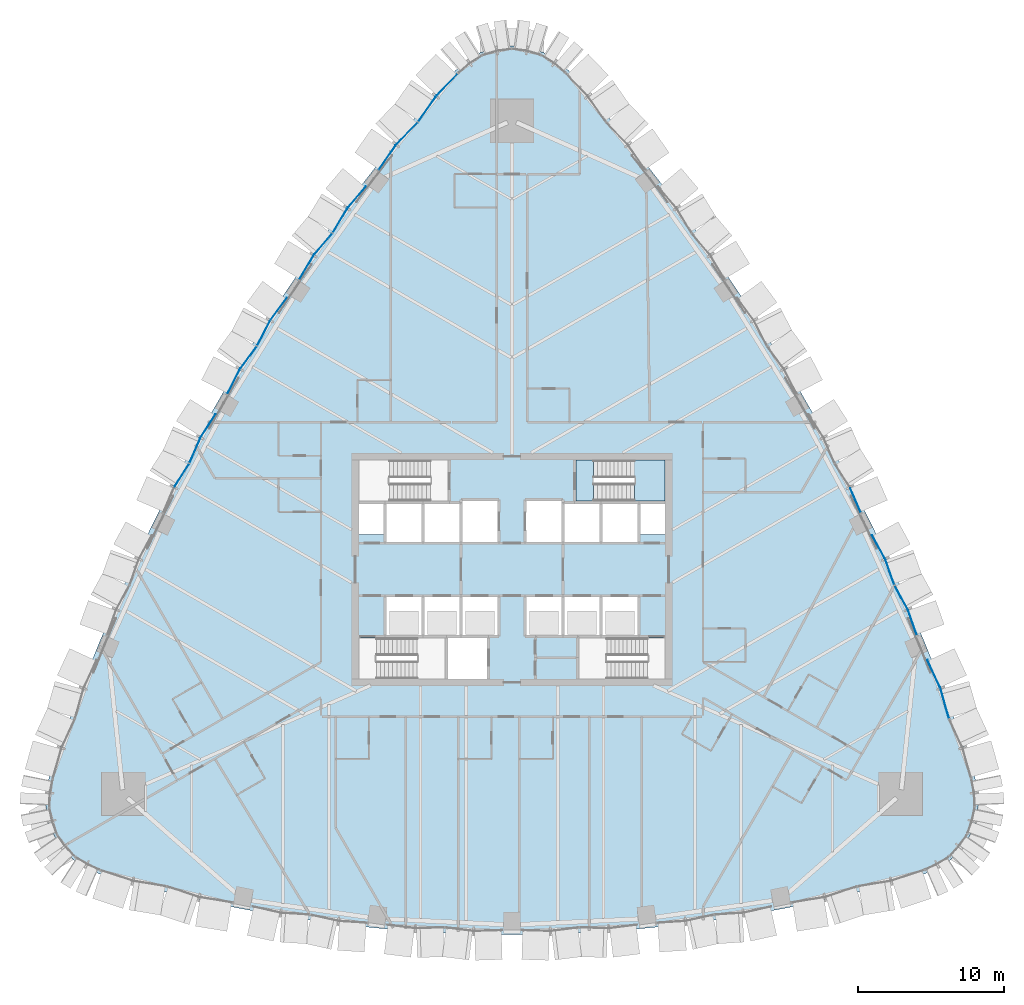
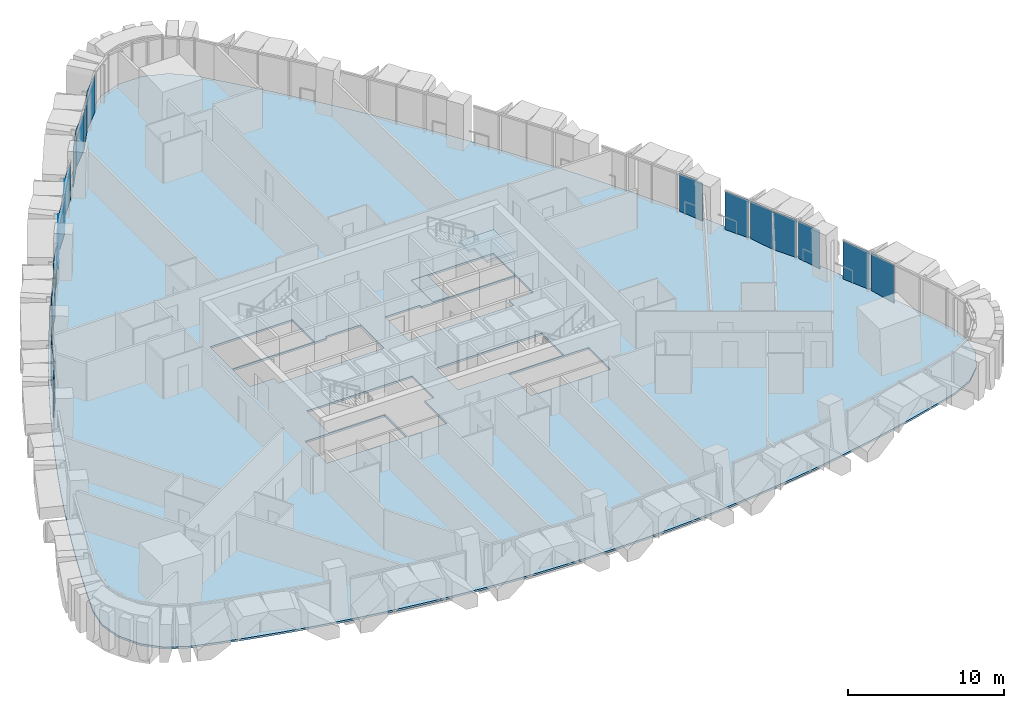
# One storey, part 11 of 22: 22 plates, 3 slabs, 8 elements without a shape of their own.
"""IFC4 building model written with IfcOpenShell, lengths in metres."""

from ifc_helpers import new_model, si_unit, direction, frame, origin, place, context, subcontext, project, spatial, polyline, outline, extrude, material, layer, layer_set, type_object, element, aggregate, save


model = new_model("IFC4")

# Units and contexts
model_context = context("Model", 3, precision=1e-05, world=origin(), true_north=direction((0.0, 1.0)))
body_context = subcontext(model_context, "Body", "Model", "MODEL_VIEW")
ifc_project = project(units=[si_unit("LENGTHUNIT", "METRE"), si_unit("AREAUNIT", "SQUARE_METRE"), si_unit("VOLUMEUNIT", "CUBIC_METRE"), si_unit("PLANEANGLEUNIT", "RADIAN"), si_unit("MASSUNIT", "GRAM", prefix="KILO")], contexts=[model_context])

# Site, building, storey
site_placement = place(None, origin())
site = spatial("IfcSite", under=ifc_project, at=site_placement, CompositionType="ELEMENT")
building_placement = place(site_placement, origin())
building = spatial("IfcBuilding", under=site, at=building_placement, Name="Sierra Prisma Convention Tower", CompositionType="ELEMENT")
storey_placement = place(building_placement, frame((0.0, 0.0, 66.5)))
storey = spatial("IfcBuildingStorey", under=building, at=storey_placement, Name="L12", CompositionType="ELEMENT", Elevation=66.5)

# Curtain wall, plates
ifc_material_1 = material(Name="Aluminium and glass curtain wall", Category="aluminium")
ifc_layer_1 = layer(ifc_material_1, 0.179931640625)
ifc_layer_set_1 = layer_set([ifc_layer_1], Name="CW-2 Faceted crystal curtain wall")
curtain_wall_type = type_object("IfcCurtainWallType", Name="CW-2 Faceted crystal curtain wall", PredefinedType="NOTDEFINED", material=ifc_layer_set_1)
curtain_wall_1_placement = place(storey_placement, origin())
curtain_wall_1 = element("IfcCurtainWall", 1, at=curtain_wall_1_placement, inside=storey, type_object=curtain_wall_type, Name="CW-2 NE1 L12", PredefinedType="NOTDEFINED")
ifc_material_2 = material(Name="Tinted glass bronze-grey IGU", Category="glass")
ifc_layer_2 = layer(ifc_material_2, 0.028076171875)
ifc_layer_set_2 = layer_set([ifc_layer_2], Name="CW-2 crystal pane")
plate_type = type_object("IfcPlateType", Name="CW-2 crystal pane", PredefinedType="CURTAIN_PANEL", material=ifc_layer_set_2)
plate_1_placement = place(storey_placement, frame((29.98095703125, -10.2119140625, 0.0), z_axis=(0.962075422412, 0.272783580135, 0.0), x_axis=(-0.272783580135, 0.962075422412, 0.0)))
plate_1 = element("IfcPlate", 2, at=plate_1_placement, type_object=plate_type, Name="CW-2 pane NE1.2.1", PredefinedType="CURTAIN_PANEL", context=body_context, shape_type="SweptSolid", body=[
    extrude(outline(polyline([(0.0, 0.0), (2.0808692108374416, 0.0), (2.0808692108374416, 2.97998046875), (0.0, 2.97998046875), (0.0, 0.0)])), origin(), (0.0, 0.0, -1.0), 0.028076171875),
])
plate_2_placement = place(storey_placement, frame((28.49462890625, -6.199951171875, 0.0), z_axis=(0.907557179198, 0.419928525449, 0.0), x_axis=(0.419928525449, -0.907557179198, 0.0)))
plate_2 = element("IfcPlate", 3, at=plate_2_placement, type_object=plate_type, Name="CW-2 pane NE1.2.2", PredefinedType="CURTAIN_PANEL", context=body_context, shape_type="SweptSolid", body=[
    extrude(outline(polyline([(0.0, 0.0), (2.0807809994336415, 0.0), (2.0807809994336415, -2.97998046875), (0.0, -2.97998046875), (0.0, 0.0)])), origin(), (0.0, 0.0, -1.0), 0.028076171875),
])
aggregate(curtain_wall_1, [plate_1, plate_2])

curtain_wall_2_placement = place(storey_placement, origin())
curtain_wall_2 = element("IfcCurtainWall", 4, at=curtain_wall_2_placement, inside=storey, type_object=curtain_wall_type, Name="CW-2 NE2 L12", PredefinedType="NOTDEFINED")
plate_3_placement = place(storey_placement, frame((27.78076171875, -4.498291015625, 0.0), z_axis=(0.941754163216, 0.336302090487, 0.0), x_axis=(-0.336302090487, 0.941754163216, 0.0)))
plate_3 = element("IfcPlate", 5, at=plate_3_placement, type_object=plate_type, Name="CW-2 pane NE2.1.1", PredefinedType="CURTAIN_PANEL", context=body_context, shape_type="SweptSolid", body=[
    extrude(outline(polyline([(0.0, 0.0), (1.8032754765864278, 0.0), (1.8032754765864278, 2.97998046875), (0.0, 2.97998046875), (0.0, 0.0)])), origin(), (0.0, 0.0, -1.0), 0.028076171875),
])
plate_4_placement = place(storey_placement, frame((26.256591796875, -1.099365234375, 0.0), z_axis=(0.877533158774, 0.47951595933, 0.0), x_axis=(0.47951595933, -0.877533158774, 0.0)))
plate_4 = element("IfcPlate", 6, at=plate_4_placement, type_object=plate_type, Name="CW-2 pane NE2.1.2", PredefinedType="CURTAIN_PANEL", context=body_context, shape_type="SweptSolid", body=[
    extrude(outline(polyline([(0.0, 0.0), (1.8033729158007237, 0.0), (1.8033729158007237, -2.97998046875), (0.0, -2.97998046875), (0.0, 0.0)])), origin(), (0.0, 0.0, -1.0), 0.028076171875),
])
plate_5_placement = place(storey_placement, frame((26.22802734375, -1.035400390625, 0.0), z_axis=(0.941754163216, 0.336302090487, 0.0), x_axis=(-0.336302090487, 0.941754163216, 0.0)))
plate_5 = element("IfcPlate", 7, at=plate_5_placement, type_object=plate_type, Name="CW-2 pane NE2.2.1", PredefinedType="CURTAIN_PANEL", context=body_context, shape_type="SweptSolid", body=[
    extrude(outline(polyline([(0.0, 0.0), (1.8032754765864278, 0.0), (1.8032754765864278, 2.97998046875), (0.0, 2.97998046875), (0.0, 0.0)])), origin(), (0.0, 0.0, -1.0), 0.028076171875),
])
plate_6_placement = place(storey_placement, frame((24.703857421875, 2.36376953125, 0.0), z_axis=(0.877533158774, 0.47951595933, 0.0), x_axis=(0.47951595933, -0.877533158774, 0.0)))
plate_6 = element("IfcPlate", 8, at=plate_6_placement, type_object=plate_type, Name="CW-2 pane NE2.2.2", PredefinedType="CURTAIN_PANEL", context=body_context, shape_type="SweptSolid", body=[
    extrude(outline(polyline([(0.0, 0.0), (1.8033729158007237, 0.0), (1.8033729158007237, -2.97998046875), (0.0, -2.97998046875), (0.0, 0.0)])), origin(), (0.0, 0.0, -1.0), 0.028076171875),
])
aggregate(curtain_wall_2, [plate_3, plate_4, plate_5, plate_6])

# Curtain wall, plate
curtain_wall_3_placement = place(storey_placement, origin())
curtain_wall_3 = element("IfcCurtainWall", 9, at=curtain_wall_3_placement, inside=storey, type_object=curtain_wall_type, Name="CW-2 NE3 L12", PredefinedType="NOTDEFINED")
plate_7_placement = place(storey_placement, frame((23.9375, 3.90185546875, 0.0), z_axis=(0.917256074335, 0.3982979966, 0.0), x_axis=(-0.3982979966, 0.917256074335, 0.0)))
plate_7 = element("IfcPlate", 10, at=plate_7_placement, type_object=plate_type, Name="CW-2 pane NE3.1.1", PredefinedType="CURTAIN_PANEL", context=body_context, shape_type="SweptSolid", body=[
    extrude(outline(polyline([(0.0, 0.0), (1.8352013755762004, 0.0), (1.8352013755762004, 2.9799804687499996), (0.0, 2.9799804687499996), (0.0, 0.0)])), origin(), (0.0, 0.0, -1.0), 0.028076171875),
])
aggregate(curtain_wall_3, [plate_7])

# Curtain wall, plates
curtain_wall_4_placement = place(storey_placement, origin())
curtain_wall_4 = element("IfcCurtainWall", 11, at=curtain_wall_4_placement, inside=storey, type_object=curtain_wall_type, Name="CW-2 NW1 L12", PredefinedType="NOTDEFINED")
plate_8_placement = place(storey_placement, frame((-3.738525390625, 34.00048828125, 0.0), z_axis=(-0.720009057598, 0.693964665511, 0.0), x_axis=(-0.693964665511, -0.720009057598, 0.0)))
plate_8 = element("IfcPlate", 12, at=plate_8_placement, type_object=plate_type, Name="CW-2 pane NW1.1.1", PredefinedType="CURTAIN_PANEL", context=body_context, shape_type="SweptSolid", body=[
    extrude(outline(polyline([(0.0, 0.0), (2.0622841693194554, 0.0), (2.0622841693194554, 2.97998046875), (0.0, 2.97998046875), (0.0, 0.0)])), origin(), (0.0, 0.0, -1.0), 0.028076171875),
])
plate_9_placement = place(storey_placement, frame((-6.43359375, 30.724853515625, 0.0), z_axis=(-0.819704323225, 0.572786890987, 0.0), x_axis=(0.572786890987, 0.819704323225, 0.0)))
plate_9 = element("IfcPlate", 13, at=plate_9_placement, type_object=plate_type, Name="CW-2 pane NW1.1.2", PredefinedType="CURTAIN_PANEL", context=body_context, shape_type="SweptSolid", body=[
    extrude(outline(polyline([(0.0, 0.0), (2.062541065385233, 0.0), (2.062541065385233, -2.97998046875), (0.0, -2.97998046875), (0.0, 0.0)])), origin(), (0.0, 0.0, -1.0), 0.028076171875),
])
plate_10_placement = place(storey_placement, frame((-6.47802734375, 30.6708984375, 0.0), z_axis=(-0.720009057598, 0.693964665511, 0.0), x_axis=(-0.693964665511, -0.720009057598, 0.0)))
plate_10 = element("IfcPlate", 14, at=plate_10_placement, type_object=plate_type, Name="CW-2 pane NW1.2.1", PredefinedType="CURTAIN_PANEL", context=body_context, shape_type="SweptSolid", body=[
    extrude(outline(polyline([(0.0, 0.0), (2.0622841693194554, 0.0), (2.0622841693194554, 2.97998046875), (0.0, 2.97998046875), (0.0, 0.0)])), origin(), (0.0, 0.0, -1.0), 0.028076171875),
])
plate_11_placement = place(storey_placement, frame((-9.173095703125, 27.395263671875, 0.0), z_axis=(-0.819704323225, 0.572786890987, 0.0), x_axis=(0.572786890987, 0.819704323225, 0.0)))
plate_11 = element("IfcPlate", 15, at=plate_11_placement, type_object=plate_type, Name="CW-2 pane NW1.2.2", PredefinedType="CURTAIN_PANEL", context=body_context, shape_type="SweptSolid", body=[
    extrude(outline(polyline([(0.0, 0.0), (2.062541065385233, 0.0), (2.062541065385233, -2.97998046875), (0.0, -2.97998046875), (0.0, 0.0)])), origin(), (0.0, 0.0, -1.0), 0.028076171875),
])
aggregate(curtain_wall_4, [plate_8, plate_9, plate_10, plate_11])

curtain_wall_5_placement = place(storey_placement, origin())
curtain_wall_5 = element("IfcCurtainWall", 16, at=curtain_wall_5_placement, inside=storey, type_object=curtain_wall_type, Name="CW-2 NW2 L12", PredefinedType="NOTDEFINED")
plate_12_placement = place(storey_placement, frame((-10.035400390625, 26.27685546875, 0.0), z_axis=(-0.764659714219, 0.644434264646, 0.0), x_axis=(-0.644434264646, -0.764659714219, 0.0)))
plate_12 = element("IfcPlate", 17, at=plate_12_placement, type_object=plate_type, Name="CW-2 pane NW2.1.1", PredefinedType="CURTAIN_PANEL", context=body_context, shape_type="SweptSolid", body=[
    extrude(outline(polyline([(0.0, 0.0), (1.8885417526534058, 0.0), (1.8885417526534058, 2.97998046875), (0.0, 2.97998046875), (0.0, 0.0)])), origin(), (0.0, 0.0, -1.0), 0.028076171875),
])
plate_13_placement = place(storey_placement, frame((-12.30419921875, 23.1103515625, 0.0), z_axis=(-0.856109766705, 0.516794027976, 0.0), x_axis=(0.516794027976, 0.856109766705, 0.0)))
plate_13 = element("IfcPlate", 18, at=plate_13_placement, type_object=plate_type, Name="CW-2 pane NW2.1.2", PredefinedType="CURTAIN_PANEL", context=body_context, shape_type="SweptSolid", body=[
    extrude(outline(polyline([(0.0, 0.0), (1.8887103292816858, 0.0), (1.8887103292816858, -2.97998046875), (0.0, -2.97998046875), (0.0, 0.0)])), origin(), (0.0, 0.0, -1.0), 0.028076171875),
])
plate_14_placement = place(storey_placement, frame((-12.344970703125, 23.053466796875, 0.0), z_axis=(-0.764596012731, 0.644509842684, 0.0), x_axis=(-0.644509842684, -0.764596012731, 0.0)))
plate_14 = element("IfcPlate", 19, at=plate_14_placement, type_object=plate_type, Name="CW-2 pane NW2.2.1", PredefinedType="CURTAIN_PANEL", context=body_context, shape_type="SweptSolid", body=[
    extrude(outline(polyline([(0.0, 0.0), (1.888699094463767, 0.0), (1.888699094463767, 2.97998046875), (0.0, 2.97998046875), (0.0, 0.0)])), origin(), (0.0, 0.0, -1.0), 0.028076171875),
])
plate_15_placement = place(storey_placement, frame((-14.614013671875, 19.886962890625, 0.0), z_axis=(-0.856052575082, 0.516888758531, 0.0), x_axis=(0.516888758531, 0.856052575082, 0.0)))
plate_15 = element("IfcPlate", 20, at=plate_15_placement, type_object=plate_type, Name="CW-2 pane NW2.2.2", PredefinedType="CURTAIN_PANEL", context=body_context, shape_type="SweptSolid", body=[
    extrude(outline(polyline([(0.0, 0.0), (1.8888365112628467, 0.0), (1.8888365112628467, -2.97998046875), (0.0, -2.97998046875), (0.0, 0.0)])), origin(), (0.0, 0.0, -1.0), 0.028076171875),
])
aggregate(curtain_wall_5, [plate_12, plate_13, plate_14, plate_15])

curtain_wall_6_placement = place(storey_placement, origin())
curtain_wall_6 = element("IfcCurtainWall", 21, at=curtain_wall_6_placement, inside=storey, type_object=curtain_wall_type, Name="CW-2 NW3 L12", PredefinedType="NOTDEFINED")
plate_16_placement = place(storey_placement, frame((-15.45361328125, 18.638427734375, 0.0), z_axis=(-0.805942971537, 0.591993181236, 0.0), x_axis=(-0.591993181236, -0.805942971537, 0.0)))
plate_16 = element("IfcPlate", 22, at=plate_16_placement, type_object=plate_type, Name="CW-2 pane NW3.1.1", PredefinedType="CURTAIN_PANEL", context=body_context, shape_type="SweptSolid", body=[
    extrude(outline(polyline([(0.0, 0.0), (1.8657177523458928, 0.0), (1.8657177523458928, 2.97998046875), (0.0, 2.97998046875), (0.0, 0.0)])), origin(), (0.0, 0.0, -1.0), 0.028076171875),
])
plate_17_placement = place(storey_placement, frame((-17.48193359375, 15.366943359375, 0.0), z_axis=(-0.888648185661, 0.458589579169, 0.0), x_axis=(0.458589579169, 0.888648185661, 0.0)))
plate_17 = element("IfcPlate", 23, at=plate_17_placement, type_object=plate_type, Name="CW-2 pane NW3.1.2", PredefinedType="CURTAIN_PANEL", context=body_context, shape_type="SweptSolid", body=[
    extrude(outline(polyline([(0.0, 0.0), (1.865434342295555, 0.0), (1.865434342295555, -2.97998046875), (0.0, -2.97998046875), (0.0, 0.0)])), origin(), (0.0, 0.0, -1.0), 0.028076171875),
])
plate_18_placement = place(storey_placement, frame((-17.518798828125, 15.307373046875, 0.0), z_axis=(-0.805897104971, 0.592055619177, 0.0), x_axis=(-0.592055619177, -0.805897104971, 0.0)))
plate_18 = element("IfcPlate", 24, at=plate_18_placement, type_object=plate_type, Name="CW-2 pane NW3.2.1", PredefinedType="CURTAIN_PANEL", context=body_context, shape_type="SweptSolid", body=[
    extrude(outline(polyline([(0.0, 0.0), (1.865520994523758, 0.0), (1.865520994523758, 2.9799804687500004), (0.0, 2.9799804687500004), (0.0, 0.0)])), origin(), (0.0, 0.0, -1.0), 0.028076171875),
])
plate_19_placement = place(storey_placement, frame((-19.547119140625, 12.0361328125, 0.0), z_axis=(-0.888594847628, 0.458692922082, 0.0), x_axis=(0.458692922082, 0.888594847628, 0.0)))
plate_19 = element("IfcPlate", 25, at=plate_19_placement, type_object=plate_type, Name="CW-2 pane NW3.2.2", PredefinedType="CURTAIN_PANEL", context=body_context, shape_type="SweptSolid", body=[
    extrude(outline(polyline([(0.0, 0.0), (1.865546315257512, 0.0), (1.865546315257512, -2.9799804687500004), (0.0, -2.9799804687500004), (0.0, 0.0)])), origin(), (0.0, 0.0, -1.0), 0.028076171875),
])
aggregate(curtain_wall_6, [plate_16, plate_17, plate_18, plate_19])

curtain_wall_7_placement = place(storey_placement, origin())
curtain_wall_7 = element("IfcCurtainWall", 26, at=curtain_wall_7_placement, inside=storey, type_object=curtain_wall_type, Name="CW-2 NW4 L12", PredefinedType="NOTDEFINED")
plate_20_placement = place(storey_placement, frame((-20.3505859375, 10.655517578125, 0.0), z_axis=(-0.843677930858, 0.536849652122, 0.0), x_axis=(-0.536849652122, -0.843677930858, 0.0)))
plate_20 = element("IfcPlate", 27, at=plate_20_placement, type_object=plate_type, Name="CW-2 pane NW4.1.1", PredefinedType="CURTAIN_PANEL", context=body_context, shape_type="SweptSolid", body=[
    extrude(outline(polyline([(0.0, 0.0), (1.8340686945275197, 0.0), (1.8340686945275197, 2.97998046875), (0.0, 2.97998046875), (0.0, 0.0)])), origin(), (0.0, 0.0, -1.0), 0.028076171875),
])
plate_21_placement = place(storey_placement, frame((-22.126708984375, 7.311279296875, 0.0), z_axis=(-0.91722023582, 0.398380520361, 0.0), x_axis=(0.398380520361, 0.91722023582, 0.0)))
plate_21 = element("IfcPlate", 28, at=plate_21_placement, type_object=plate_type, Name="CW-2 pane NW4.1.2", PredefinedType="CURTAIN_PANEL", context=body_context, shape_type="SweptSolid", body=[
    extrude(outline(polyline([(0.0, 0.0), (1.8342083843928458, 0.0), (1.8342083843928458, -2.97998046875), (0.0, -2.97998046875), (0.0, 0.0)])), origin(), (0.0, 0.0, -1.0), 0.028076171875),
])
plate_22_placement = place(storey_placement, frame((-22.159423828125, 7.24951171875, 0.0), z_axis=(-0.843617638662, 0.536944391663, 0.0), x_axis=(-0.536944391663, -0.843617638662, 0.0)))
plate_22 = element("IfcPlate", 29, at=plate_22_placement, type_object=plate_type, Name="CW-2 pane NW4.2.1", PredefinedType="CURTAIN_PANEL", context=body_context, shape_type="SweptSolid", body=[
    extrude(outline(polyline([(0.0, 0.0), (1.8341997729024184, 0.0), (1.8341997729024184, 2.97998046875), (0.0, 2.97998046875), (0.0, 0.0)])), origin(), (0.0, 0.0, -1.0), 0.028076171875),
])
aggregate(curtain_wall_7, [plate_20, plate_21, plate_22])

# Slab
ifc_material_3 = material(Name="Concrete C35/45", Category="concrete")
ifc_layer_3 = layer(ifc_material_3, 0.14990234375)
ifc_layer_set_3 = layer_set([ifc_layer_3], Name="Composite floor slab 150")
slab_type_1 = type_object("IfcSlabType", Name="Composite floor slab 150", PredefinedType="FLOOR", material=ifc_layer_set_3)
slab_1_placement = place(storey_placement, frame((0.0, 0.0, -0.14990234375)))
element("IfcSlab", 30, at=slab_1_placement, inside=storey, type_object=slab_type_1, Name="Floor slab L12 floor", PredefinedType="FLOOR", context=body_context, shape_type="SweptSolid", body=[
    extrude(outline(polyline([(-28.333984375, -20.8623046875), (-26.43017578125, -21.41357421875), (-24.515380859375, -21.926025390625), (-22.591064453125, -22.400146484375), (-20.6572265625, -22.83544921875), (-18.71533203125, -23.231689453125), (-16.765625, -23.588623046875), (-14.80908203125, -23.906494140625), (-12.8466796875, -24.1845703125), (-10.879150390625, -24.42333984375), (-8.9072265625, -24.62255859375), (-6.931640625, -24.781982421875), (-4.953125, -24.901611328125), (-2.97265625, -24.981201171875), (-0.990966796875, -25.021240234375), (0.990966796875, -25.021240234375), (2.97265625, -24.981201171875), (4.953125, -24.901611328125), (6.931640625, -24.781982421875), (8.9072265625, -24.62255859375), (10.879150390625, -24.42333984375), (12.8466796875, -24.1845703125), (14.80908203125, -23.906494140625), (16.765625, -23.588623046875), (18.71533203125, -23.231689453125), (20.6572265625, -22.83544921875), (22.591064453125, -22.400146484375), (24.515380859375, -21.926025390625), (26.43017578125, -21.41357421875), (28.333984375, -20.8623046875), (29.816650390625, -20.142822265625), (30.997802734375, -18.9931640625), (31.757080078125, -17.5302734375), (32.017578125, -15.90283203125), (31.7529296875, -14.276123046875), (31.126708984375, -12.43798828125), (30.475341796875, -10.60888671875), (29.798828125, -8.788818359375), (29.09716796875, -6.978271484375), (28.37060546875, -5.177734375), (27.619140625, -3.38720703125), (26.84326171875, -1.607421875), (26.042724609375, 0.16162109375), (25.2177734375, 1.91943359375), (24.36865234375, 3.66552734375), (23.49560546875, 5.39990234375), (22.5986328125, 7.1220703125), (21.677978515625, 8.83154296875), (20.73388671875, 10.5283203125), (19.766357421875, 12.2119140625), (18.775634765625, 13.8818359375), (17.761962890625, 15.537841796875), (16.7255859375, 17.179931640625), (15.66650390625, 18.807373046875), (14.585205078125, 20.420166015625), (13.481689453125, 22.017578125), (12.356201171875, 23.599853515625), (11.208984375, 25.16650390625), (10.040283203125, 26.717041015625), (8.85009765625, 28.251220703125), (7.63916015625, 29.76904296875), (6.406982421875, 31.269775390625), (5.154541015625, 32.75341796875), (3.881591796875, 34.2197265625), (2.521728515625, 35.317626953125), (0.873779296875, 35.899658203125), (-0.873779296875, 35.899658203125), (-2.521728515625, 35.317626953125), (-3.881591796875, 34.2197265625), (-5.154541015625, 32.75341796875), (-6.406982421875, 31.269775390625), (-7.63916015625, 29.76904296875), (-8.85009765625, 28.251220703125), (-10.040283203125, 26.717041015625), (-11.208984375, 25.16650390625), (-12.356201171875, 23.599853515625), (-13.481689453125, 22.017578125), (-14.585205078125, 20.420166015625), (-15.66650390625, 18.807373046875), (-16.7255859375, 17.179931640625), (-17.761962890625, 15.537841796875), (-18.775634765625, 13.8818359375), (-19.766357421875, 12.2119140625), (-20.73388671875, 10.5283203125), (-21.677978515625, 8.83154296875), (-22.5986328125, 7.1220703125), (-23.49560546875, 5.39990234375), (-24.36865234375, 3.66552734375), (-25.2177734375, 1.91943359375), (-26.042724609375, 0.16162109375), (-26.84326171875, -1.607421875), (-27.619140625, -3.38720703125), (-28.37060546875, -5.177734375), (-29.09716796875, -6.978271484375), (-29.798828125, -8.788818359375), (-30.475341796875, -10.60888671875), (-31.126708984375, -12.43798828125), (-31.7529296875, -14.276123046875), (-32.017578125, -15.90283203125), (-31.757080078125, -17.5302734375), (-30.997802734375, -18.9931640625), (-29.816650390625, -20.142822265625), (-28.333984375, -20.8623046875)]), holes=[polyline([(-4.60009765625, -7.5), (-10.5, -7.5), (-10.5, -4.699951171875), (-4.60009765625, -4.699951171875), (-4.60009765625, -7.5)]), polyline([(-8.699951171875, -4.60009765625), (-8.699951171875, -1.800048828125), (-6.10009765625, -1.800048828125), (-3.5, -1.800048828125), (-0.89990234375, -1.800048828125), (-0.89990234375, -4.60009765625), (-1.60009765625, -4.60009765625), (-1.60009765625, -7.5), (-4.5, -7.5), (-4.5, -4.60009765625), (-6.10009765625, -4.60009765625), (-8.699951171875, -4.60009765625)]), polyline([(-10.5, 4.60009765625), (-8.699951171875, 4.60009765625), (-6.10009765625, 4.60009765625), (-3.5, 4.60009765625), (-3.5, 4.800048828125), (-0.89990234375, 4.800048828125), (-0.89990234375, 1.800048828125), (-3.5, 1.800048828125), (-6.10009765625, 1.800048828125), (-8.699951171875, 1.800048828125), (-8.699951171875, 2.39990234375), (-10.5, 2.39990234375), (-10.5, 4.60009765625)]), polyline([(-4.39990234375, 4.699951171875), (-10.5, 4.699951171875), (-10.5, 7.5), (-4.39990234375, 7.5), (-4.39990234375, 4.699951171875)]), polyline([(10.5, -7.5), (4.60009765625, -7.5), (4.60009765625, -4.699951171875), (10.5, -4.699951171875), (10.5, -7.5)]), polyline([(6.10009765625, -1.800048828125), (8.699951171875, -1.800048828125), (8.699951171875, -4.60009765625), (6.10009765625, -4.60009765625), (3.5, -4.60009765625), (0.89990234375, -4.60009765625), (0.89990234375, -1.800048828125), (3.5, -1.800048828125), (6.10009765625, -1.800048828125)]), polyline([(10.5, 4.60009765625), (10.5, 2.39990234375), (8.699951171875, 2.39990234375), (8.699951171875, 1.800048828125), (6.10009765625, 1.800048828125), (3.5, 1.800048828125), (0.89990234375, 1.800048828125), (0.89990234375, 4.800048828125), (3.5, 4.800048828125), (3.5, 4.60009765625), (6.10009765625, 4.60009765625), (8.699951171875, 4.60009765625), (10.5, 4.60009765625)]), polyline([(4.39990234375, 4.699951171875), (4.39990234375, 7.5), (10.5, 7.5), (10.5, 4.699951171875), (4.39990234375, 4.699951171875)])]), origin(), (0.0, 0.0, 1.0), 0.14990234375),
])

# Stair, slab
ifc_material_4 = material(Name="Concrete C30/37", Category="concrete")
stair_type = type_object("IfcStairType", Name="Stair dog-leg 1200 RC", PredefinedType="HALF_TURN_STAIR", material=ifc_material_4)
stair_placement = place(storey_placement, origin())
stair = element("IfcStair", 31, at=stair_placement, inside=storey, type_object=stair_type, Name="L12 S4", PredefinedType="HALF_TURN_STAIR")
ifc_material_5 = material(Name="Concrete C35/45", Category="concrete")
ifc_layer_4 = layer(ifc_material_5, 0.199951171875)
ifc_layer_set_4 = layer_set([ifc_layer_4], Name="Stair landing slab")
slab_type_2 = type_object("IfcSlabType", Name="Stair landing slab", PredefinedType="LANDING", material=ifc_layer_set_4)
slab_2_placement = place(storey_placement, frame((0.0, 0.0, 1.64990234375)))
slab_2 = element("IfcSlab", 32, at=slab_2_placement, type_object=slab_type_2, Name="S4 landing 1", PredefinedType="LANDING", context=body_context, shape_type="SweptSolid", body=[
    extrude(outline(polyline([(10.5, 7.5), (10.5, 4.699951171875), (8.39794921875, 4.699951171875), (8.39794921875, 6.300048828125), (7.949951171875, 6.300048828125), (7.949951171875, 7.5), (10.5, 7.5)])), origin(), (0.0, 0.0, 1.0), 0.2001953125),
])
aggregate(stair, [slab_2])

# Slab
slab_3_placement = place(storey_placement, frame((0.0, 0.0, -0.199951171875)))
element("IfcSlab", 33, at=slab_3_placement, inside=storey, type_object=slab_type_2, Name="S4 floor landing L12", PredefinedType="LANDING", context=body_context, shape_type="SweptSolid", body=[
    extrude(outline(polyline([(4.39990234375, 4.699951171875), (5.60205078125, 4.699951171875), (5.60205078125, 7.5), (4.39990234375, 7.5), (4.39990234375, 4.699951171875)])), origin(), (0.0, 0.0, 1.0), 0.199951171875),
])

save(model, "model.ifc")
